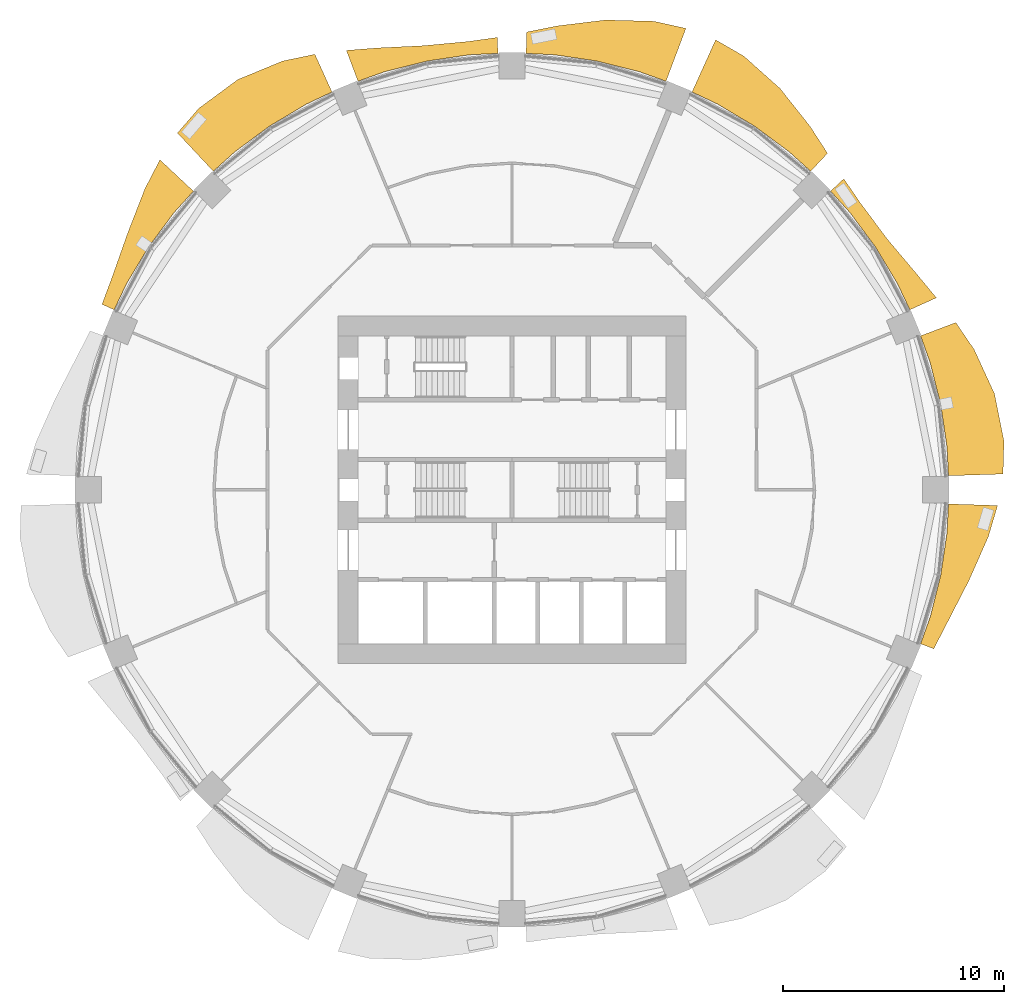
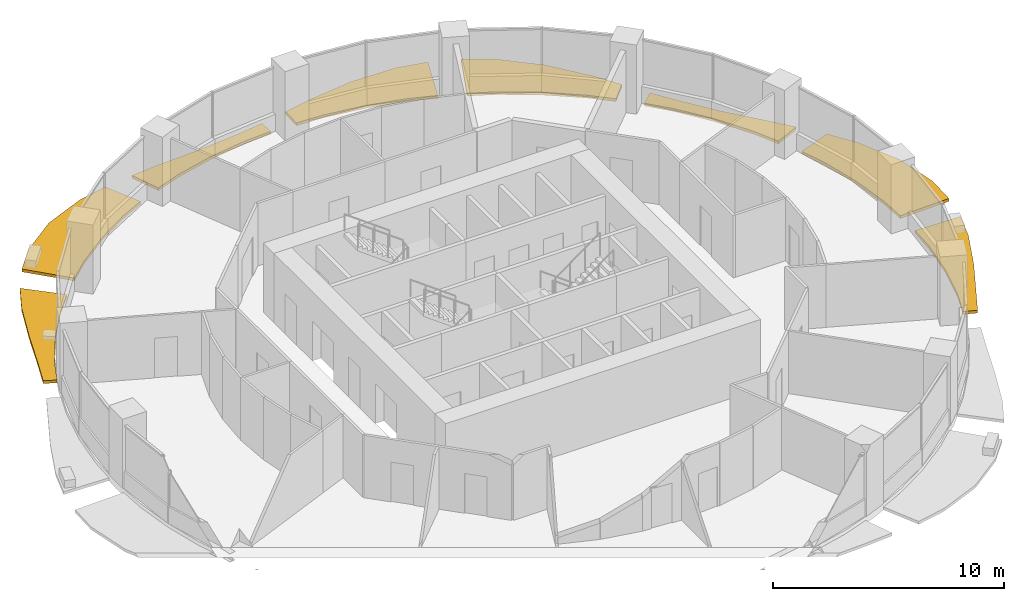
# One storey, part 14 of 15: 8 shading devices.
"""IFC4 building model written with IfcOpenShell, lengths in metres."""

from ifc_helpers import new_model, si_unit, direction, frame, origin, place, context, subcontext, project, spatial, polyline, outline, extrude, material, type_object, element, save


model = new_model("IFC4")

# Units and contexts
model_context = context("Model", 3, precision=1e-05, world=origin(), true_north=direction((0.0, 1.0)))
body_context = subcontext(model_context, "Body", "Model", "MODEL_VIEW")
ifc_project = project(units=[si_unit("LENGTHUNIT", "METRE"), si_unit("AREAUNIT", "SQUARE_METRE"), si_unit("VOLUMEUNIT", "CUBIC_METRE"), si_unit("PLANEANGLEUNIT", "RADIAN"), si_unit("MASSUNIT", "GRAM", prefix="KILO")], contexts=[model_context])

# Site, building, storey
site_placement = place(None, origin())
site = spatial("IfcSite", under=ifc_project, at=site_placement, CompositionType="ELEMENT")
building_placement = place(site_placement, origin())
building = spatial("IfcBuilding", under=site, at=building_placement, Name="Polderwave Tower", CompositionType="ELEMENT")
storey_placement = place(building_placement, frame((0.0, 0.0, 33.5)))
storey = spatial("IfcBuildingStorey", under=building, at=storey_placement, Name="L08", CompositionType="ELEMENT", Elevation=33.5)

# Shading devices
ifc_material = material(Name="Terracotta", Category="masonry")
shading_device_type = type_object("IfcShadingDeviceType", Name="Terracotta sunshade band", PredefinedType="USERDEFINED", material=ifc_material)
shading_device_1_placement = place(storey_placement, frame((0.0, 0.0, -0.35009765625)))
element("IfcShadingDevice", 1, at=shading_device_1_placement, inside=storey, type_object=shading_device_type, Name="Sunshade band L08 1", ObjectType="SUNSHADE", PredefinedType="USERDEFINED", context=body_context, shape_type="SweptSolid", body=[
    extrude(outline(polyline([(19.768798828125, 0.6376953125), (19.70458984375, 1.940673828125), (19.41943359375, 3.86279296875), (18.947509765625, 5.74755859375), (18.5078125, 6.97607421875), (20.103515625, 7.577392578125), (20.93798828125, 6.3515625), (21.8583984375, 4.347900390625), (22.286376953125, 2.195068359375), (22.2431640625, 0.717529296875), (19.768798828125, 0.6376953125)])), origin(), (0.0, 0.0, 1.0), 0.150146484375),
])
shading_device_2_placement = place(storey_placement, frame((0.0, 0.0, -0.35009765625)))
element("IfcShadingDevice", 2, at=shading_device_2_placement, inside=storey, type_object=shading_device_type, Name="Sunshade band L08 2", ObjectType="SUNSHADE", PredefinedType="USERDEFINED", context=body_context, shape_type="SweptSolid", body=[
    extrude(outline(polyline([(18.019775390625, 8.154296875), (17.4619140625, 9.333740234375), (16.463134765625, 11.000244140625), (15.3056640625, 12.56103515625), (14.429443359375, 13.527587890625), (15.029541015625, 14.090087890625), (15.800537109375, 12.967041015625), (17.000244140625, 11.359130859375), (18.3203125, 9.79248046875), (19.22412109375, 8.69921875), (18.019775390625, 8.154296875)])), origin(), (0.0, 0.0, 1.0), 0.150146484375),
])
shading_device_3_placement = place(storey_placement, frame((0.0, 0.0, -0.35009765625)))
element("IfcShadingDevice", 3, at=shading_device_3_placement, inside=storey, type_object=shading_device_type, Name="Sunshade band L08 3", ObjectType="SUNSHADE", PredefinedType="USERDEFINED", context=body_context, shape_type="SweptSolid", body=[
    extrude(outline(polyline([(13.527587890625, 14.429443359375), (12.56103515625, 15.3056640625), (11.000244140625, 16.463134765625), (9.333740234375, 17.4619140625), (8.154296875, 18.019775390625), (9.223876953125, 20.383544921875), (10.50146484375, 19.646728515625), (12.146240234375, 18.177978515625), (13.507568359375, 16.458984375), (14.2919921875, 15.24462890625), (13.527587890625, 14.429443359375)])), origin(), (0.0, 0.0, 1.0), 0.150146484375),
])
shading_device_4_placement = place(storey_placement, frame((0.0, 0.0, -0.35009765625)))
element("IfcShadingDevice", 4, at=shading_device_4_placement, inside=storey, type_object=shading_device_type, Name="Sunshade band L08 4", ObjectType="SUNSHADE", PredefinedType="USERDEFINED", context=body_context, shape_type="SweptSolid", body=[
    extrude(outline(polyline([(6.97607421875, 18.5078125), (5.74755859375, 18.947509765625), (3.86279296875, 19.41943359375), (1.940673828125, 19.70458984375), (0.6376953125, 19.768798828125), (0.6689453125, 20.7392578125), (2.070068359375, 21.017578125), (4.2333984375, 21.28271484375), (6.438232421875, 21.22412109375), (7.879150390625, 20.90380859375), (6.97607421875, 18.5078125)])), origin(), (0.0, 0.0, 1.0), 0.150146484375),
])
shading_device_5_placement = place(storey_placement, frame((0.0, 0.0, -0.35009765625)))
element("IfcShadingDevice", 5, at=shading_device_5_placement, inside=storey, type_object=shading_device_type, Name="Sunshade band L08 5", ObjectType="SUNSHADE", PredefinedType="USERDEFINED", context=body_context, shape_type="SweptSolid", body=[
    extrude(outline(polyline([(-0.6376953125, 19.768798828125), (-1.940673828125, 19.70458984375), (-3.86279296875, 19.41943359375), (-5.74755859375, 18.947509765625), (-6.97607421875, 18.5078125), (-7.50341796875, 19.90673828125), (-6.07275390625, 20.01904296875), (-4.001953125, 20.119384765625), (-2.0, 20.3076171875), (-0.660888671875, 20.492431640625), (-0.6376953125, 19.768798828125)])), origin(), (0.0, 0.0, 1.0), 0.150146484375),
])
shading_device_6_placement = place(storey_placement, frame((0.0, 0.0, -0.35009765625)))
element("IfcShadingDevice", 6, at=shading_device_6_placement, inside=storey, type_object=shading_device_type, Name="Sunshade band L08 6", ObjectType="SUNSHADE", PredefinedType="USERDEFINED", context=body_context, shape_type="SweptSolid", body=[
    extrude(outline(polyline([(-8.154296875, 18.019775390625), (-9.333740234375, 17.4619140625), (-11.000244140625, 16.463134765625), (-12.56103515625, 15.3056640625), (-13.527587890625, 14.429443359375), (-15.15380859375, 16.163818359375), (-14.184814453125, 17.2841796875), (-12.419189453125, 18.586669921875), (-10.38330078125, 19.42578125), (-8.9287109375, 19.730712890625), (-8.154296875, 18.019775390625)])), origin(), (0.0, 0.0, 1.0), 0.150146484375),
])
shading_device_7_placement = place(storey_placement, frame((0.0, 0.0, -0.35009765625)))
element("IfcShadingDevice", 7, at=shading_device_7_placement, inside=storey, type_object=shading_device_type, Name="Sunshade band L08 7", ObjectType="SUNSHADE", PredefinedType="USERDEFINED", context=body_context, shape_type="SweptSolid", body=[
    extrude(outline(polyline([(-14.429443359375, 13.527587890625), (-15.3056640625, 12.56103515625), (-16.463134765625, 11.000244140625), (-17.4619140625, 9.333740234375), (-18.019775390625, 8.154296875), (-18.571533203125, 8.40380859375), (-18.099609375, 9.67431640625), (-17.40869140625, 11.632080078125), (-16.625732421875, 13.64453125), (-15.94873046875, 14.951904296875), (-14.429443359375, 13.527587890625)])), origin(), (0.0, 0.0, 1.0), 0.150146484375),
])
shading_device_8_placement = place(storey_placement, frame((0.0, 0.0, -0.35009765625)))
element("IfcShadingDevice", 8, at=shading_device_8_placement, inside=storey, type_object=shading_device_type, Name="Sunshade band L08 16", ObjectType="SUNSHADE", PredefinedType="USERDEFINED", context=body_context, shape_type="SweptSolid", body=[
    extrude(outline(polyline([(18.5078125, -6.97607421875), (18.947509765625, -5.74755859375), (19.41943359375, -3.86279296875), (19.70458984375, -1.940673828125), (19.768798828125, -0.6376953125), (21.996337890625, -0.709716796875), (21.576416015625, -2.125), (20.69482421875, -4.116455078125), (19.73291015625, -5.98583984375), (19.106201171875, -7.201416015625), (18.5078125, -6.97607421875)])), origin(), (0.0, 0.0, 1.0), 0.150146484375),
])

save(model, "model.ifc")
